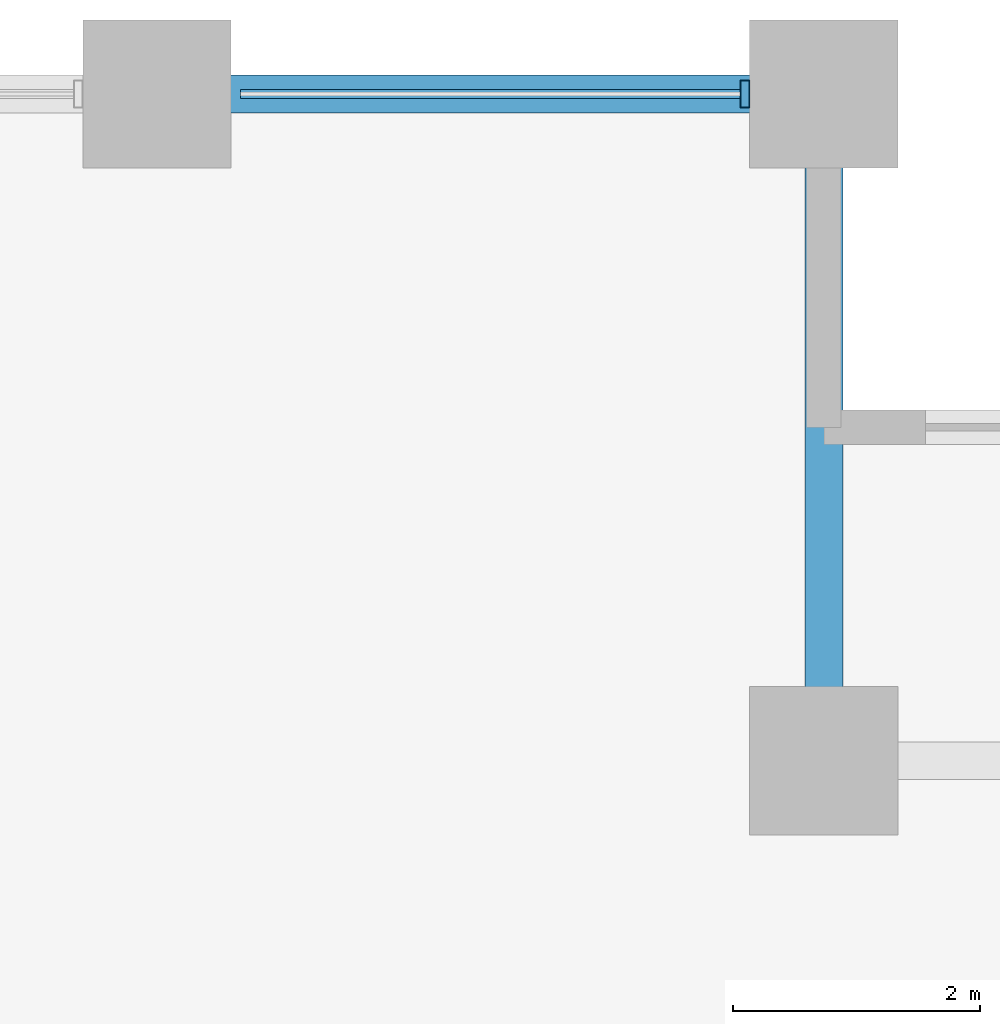
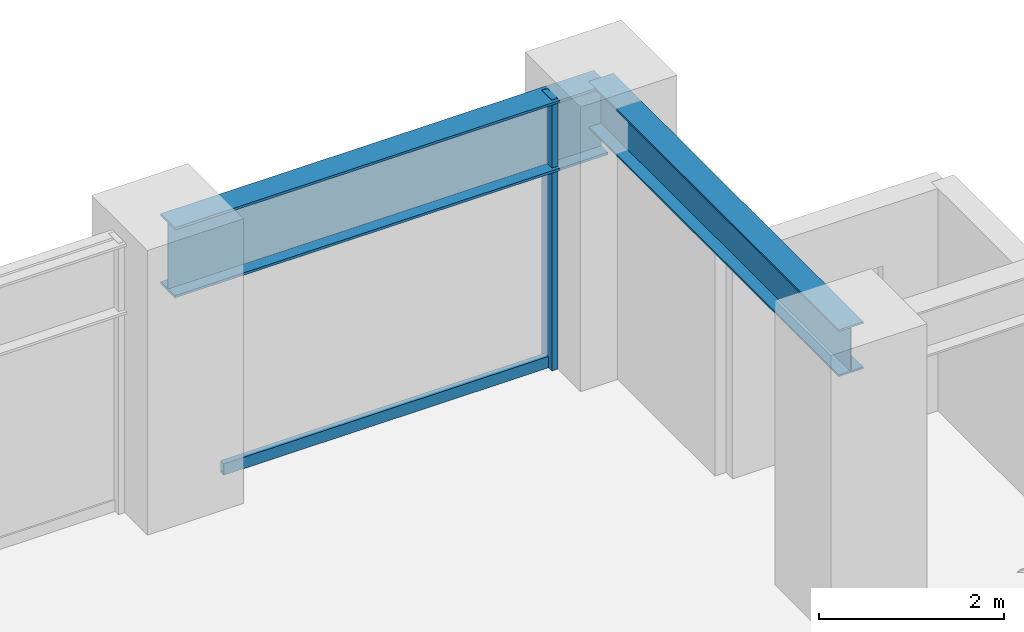
# One storey, part 16 of 27: 2 beams, 2 members, 1 element without a shape of its own.
"""IFC4 building model written with IfcOpenShell, lengths in metres."""

from ifc_helpers import new_model, si_unit, direction, frame, origin, origin_2d, place, context, subcontext, project, spatial, hollow_rectangle, i_section, extrude, material, layer, layer_set, material_profile, profile_set, type_object, element, aggregate, save


model = new_model("IFC4")

# Units and contexts
model_context = context("Model", 3, precision=1e-05, world=origin(), true_north=direction((0.0, 1.0)))
body_context = subcontext(model_context, "Body", "Model", "MODEL_VIEW")
ifc_project = project(units=[si_unit("LENGTHUNIT", "METRE"), si_unit("AREAUNIT", "SQUARE_METRE"), si_unit("VOLUMEUNIT", "CUBIC_METRE"), si_unit("PLANEANGLEUNIT", "RADIAN"), si_unit("MASSUNIT", "GRAM", prefix="KILO")], contexts=[model_context])

# Site, building, storey
site_placement = place(None, origin())
site = spatial("IfcSite", under=ifc_project, at=site_placement, CompositionType="ELEMENT")
building_placement = place(site_placement, origin())
building = spatial("IfcBuilding", under=site, at=building_placement, Name="Surkhivell Harbour Commons", CompositionType="ELEMENT")
storey_placement = place(building_placement, frame((0.0, 0.0, 56.25)))
storey = spatial("IfcBuildingStorey", under=building, at=storey_placement, Name="L14", CompositionType="ELEMENT", Elevation=56.25)

# Beams
ifc_material_1 = material(Name="Steel S355", Category="steel")
ifc_material_profile_1 = material_profile(ifc_material_1, i_section(OverallWidth=0.306884765625, OverallDepth=0.6201171875, WebThickness=0.01416015625, FlangeThickness=0.023681640625, at=origin_2d()), Name="UB610x305x179")
ifc_profile_set_1 = profile_set([ifc_material_profile_1], Name="Steel S355")
beam_type_1 = type_object("IfcBeamType", Name="BM-GRD-610A", PredefinedType="BEAM", material=ifc_profile_set_1)
beam_1_placement = place(storey_placement, frame((27.0, 20.5, 3.260009765625), z_axis=(0.0, 1.0, 0.0), x_axis=(-1.0, 0.0, 0.0)))
element("IfcBeam", 1, at=beam_1_placement, inside=storey, type_object=beam_type_1, Name="L14 Floor Girder (27.0,20.5)", PredefinedType="BEAM", context=body_context, shape_type="SweptSolid", body=[
    extrude(i_section(OverallWidth=0.306884765625, OverallDepth=0.6201171875, WebThickness=0.01416015625, FlangeThickness=0.023681640625, at=origin_2d()), origin(), (0.0, 0.0, 1.0), 5.39990234375),
])
ifc_material_2 = material(Name="Steel S460", Category="steel")
ifc_material_profile_2 = material_profile(ifc_material_2, i_section(OverallWidth=0.30810546875, OverallDepth=0.927001953125, WebThickness=0.01953125, FlangeThickness=0.031982421875, at=origin_2d()), Name="UB914x305x289")
ifc_profile_set_2 = profile_set([ifc_material_profile_2], Name="Steel S460")
beam_type_2 = type_object("IfcBeamType", Name="BM-SPN-914B", PredefinedType="SPANDREL", material=ifc_profile_set_2)
beam_2_placement = place(storey_placement, frame((21.60009765625, 25.89990234375, 3.1064453125), z_axis=(1.0, 0.0, 0.0), x_axis=(0.0, 1.0, 0.0)))
element("IfcBeam", 2, at=beam_2_placement, inside=storey, type_object=beam_type_2, Name="L14 Tube Spandrel (21.6,25.9)", PredefinedType="SPANDREL", context=body_context, shape_type="SweptSolid", body=[
    extrude(i_section(OverallWidth=0.30810546875, OverallDepth=0.927001953125, WebThickness=0.01953125, FlangeThickness=0.031982421875, at=origin_2d()), origin(), (0.0, 0.0, 1.0), 5.39990234375),
])

# Curtain wall, members
ifc_material_3 = material(Name="Anodised pale-metal aluminium and insulated glazing", Category="aluminium")
ifc_layer = layer(ifc_material_3, 0.219970703125)
ifc_layer_set = layer_set([ifc_layer], Name="Anodised pale-metal aluminium and insulated glazing")
curtain_wall_type = type_object("IfcCurtainWallType", Name="CW-SYS-Z1", PredefinedType="NOTDEFINED", material=ifc_layer_set)
curtain_wall_placement = place(storey_placement, origin())
curtain_wall = element("IfcCurtainWall", 3, at=curtain_wall_placement, inside=storey, type_object=curtain_wall_type, Name="L14 Curtain Wall CW-L14-E07S1", PredefinedType="NOTDEFINED")
ifc_material_4 = material(Name="Anodised pale-metal aluminium alloy 6063-T6", Category="aluminium")
ifc_material_profile_3 = material_profile(ifc_material_4, hollow_rectangle(XDim=0.074951171875, YDim=0.219970703125, WallThickness=0.00390625, at=origin_2d()), Name="ALU-MULL-75x220")
ifc_profile_set_3 = profile_set([ifc_material_profile_3], Name="Anodised pale-metal aluminium alloy 6063-T6")
member_type_1 = type_object("IfcMemberType", Name="CWM-220", PredefinedType="MULLION", material=ifc_profile_set_3)
member_1_placement = place(storey_placement, frame((26.360595703125, 25.89990234375, 0.0), z_axis=(0.0, 0.0, 1.0), x_axis=(-1.0, 0.0, 0.0)))
member_1 = element("IfcMember", 4, at=member_1_placement, type_object=member_type_1, Name="CW-Z1 mullion 1", PredefinedType="MULLION", context=body_context, shape_type="SweptSolid", body=[
    extrude(hollow_rectangle(XDim=0.074951171875, YDim=0.219970703125, WallThickness=0.00390625, at=origin_2d()), origin(), (0.0, 0.0, 1.0), 3.570068359375),
])
ifc_material_profile_4 = material_profile(ifc_material_4, hollow_rectangle(XDim=0.074951171875, YDim=0.14990234375, WallThickness=0.00341796875, at=origin_2d()), Name="ALU-TRAN-75x150")
ifc_profile_set_4 = profile_set([ifc_material_profile_4], Name="Anodised pale-metal aluminium alloy 6063-T6")
member_type_2 = type_object("IfcMemberType", Name="CWT-150", PredefinedType="USERDEFINED", material=ifc_profile_set_4)
member_2_placement = place(storey_placement, frame((26.322998046875, 25.89990234375, 0.074951171875), z_axis=(-1.0, 0.0, 0.0), x_axis=(0.0, -1.0, 0.0)))
member_2 = element("IfcMember", 5, at=member_2_placement, type_object=member_type_2, Name="CW-Z1 transom 1.1", ObjectType="TRANSOM", PredefinedType="USERDEFINED", context=body_context, shape_type="SweptSolid", body=[
    extrude(hollow_rectangle(XDim=0.074951171875, YDim=0.14990234375, WallThickness=0.00341796875, at=origin_2d()), origin(), (0.0, 0.0, 1.0), 4.0458984375),
])
aggregate(curtain_wall, [member_1, member_2])

save(model, "model.ifc")
